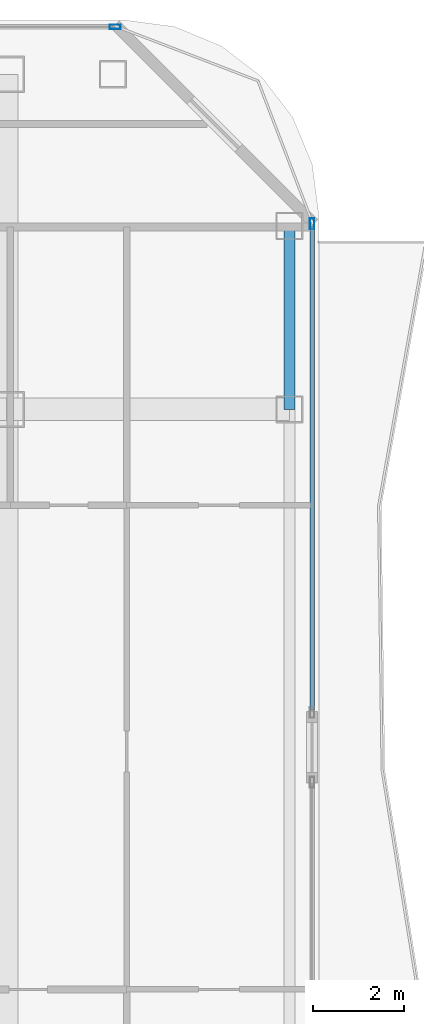
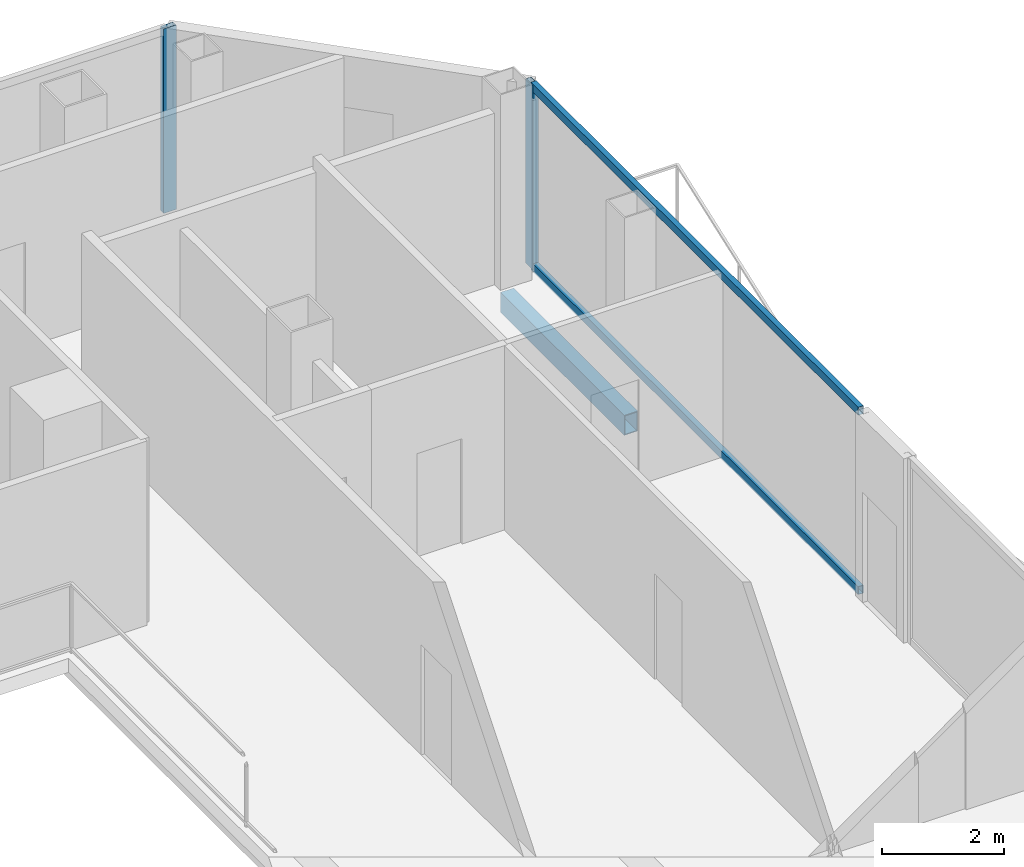
# One storey, part 18 of 26: 4 members, 1 beam, 2 elements without a shape of their own.
"""IFC4 building model written with IfcOpenShell, lengths in metres."""

from ifc_helpers import new_model, si_unit, direction, frame, origin, origin_2d, place, context, subcontext, project, spatial, hollow_rectangle, extrude, material, layer, layer_set, material_profile, profile_set, type_object, element, aggregate, save


model = new_model("IFC4")

# Units and contexts
model_context = context("Model", 3, precision=1e-05, world=origin(), true_north=direction((0.0, 1.0)))
body_context = subcontext(model_context, "Body", "Model", "MODEL_VIEW")
ifc_project = project(units=[si_unit("LENGTHUNIT", "METRE"), si_unit("AREAUNIT", "SQUARE_METRE"), si_unit("VOLUMEUNIT", "CUBIC_METRE"), si_unit("PLANEANGLEUNIT", "RADIAN"), si_unit("MASSUNIT", "GRAM", prefix="KILO")], contexts=[model_context])

# Site, building, storey
site_placement = place(None, origin())
site = spatial("IfcSite", under=ifc_project, at=site_placement, CompositionType="ELEMENT")
building_placement = place(site_placement, origin())
building = spatial("IfcBuilding", under=site, at=building_placement, Name="Khorvyn Point Tower", CompositionType="ELEMENT")
storey_placement = place(building_placement, frame((0.0, 0.0, 219.60009765625)))
storey = spatial("IfcBuildingStorey", under=building, at=storey_placement, Name="L54", CompositionType="ELEMENT", Elevation=219.60009765625)

# Curtain wall, member
ifc_material_1 = material(Name="Anodised aluminium 6063-T6 and laminated Low-E glass", Category="aluminium")
ifc_layer = layer(ifc_material_1, 0.18994140625)
ifc_layer_set = layer_set([ifc_layer], Name="Stick-Built Acoustic Curtain Wall CW-SYS-03")
curtain_wall_type = type_object("IfcCurtainWallType", Name="Stick-Built Acoustic Curtain Wall CW-SYS-03", PredefinedType="NOTDEFINED", material=ifc_layer_set)
curtain_wall_1_placement = place(storey_placement, origin())
curtain_wall_1 = element("IfcCurtainWall", 1, at=curtain_wall_1_placement, inside=storey, type_object=curtain_wall_type, Name="Curtain Wall", PredefinedType="NOTDEFINED")
ifc_material_2 = material(Name="Anodised aluminium 6063-T6", Category="aluminium")
ifc_material_profile_1 = material_profile(ifc_material_2, hollow_rectangle(XDim=0.10009765625, YDim=0.239990234375, WallThickness=0.0048828125, at=origin_2d()))
ifc_profile_set_1 = profile_set([ifc_material_profile_1], Name="Anodised aluminium 6063-T6 ALU-MUL-100x240")
member_type_1 = type_object("IfcMemberType", Name="Anodised Aluminium 6063-T6 Mullion ALU-MUL-100x240", PredefinedType="MULLION", material=ifc_profile_set_1)
member_1_placement = place(storey_placement, frame((21.800048828125, 15.85009765625, 0.0), z_axis=(0.0, 0.0, 1.0), x_axis=(0.0, 1.0, 0.0)))
member_1 = element("IfcMember", 2, at=member_1_placement, type_object=member_type_1, Name="Transom", PredefinedType="MULLION", context=body_context, shape_type="SweptSolid", body=[
    extrude(hollow_rectangle(XDim=0.10009765625, YDim=0.239990234375, WallThickness=0.0048828125, at=origin_2d()), origin(), (0.0, 0.0, 1.0), 3.679931640625),
])
aggregate(curtain_wall_1, [member_1])

# Curtain wall, members
curtain_wall_2_placement = place(storey_placement, origin())
curtain_wall_2 = element("IfcCurtainWall", 3, at=curtain_wall_2_placement, inside=storey, type_object=curtain_wall_type, Name="Curtain Wall", PredefinedType="NOTDEFINED")
member_2_placement = place(storey_placement, frame((26.14990234375, 11.5, 0.0), z_axis=(0.0, 0.0, 1.0), x_axis=(1.0, 0.0, 0.0)))
member_2 = element("IfcMember", 4, at=member_2_placement, type_object=member_type_1, Name="Transom", PredefinedType="MULLION", context=body_context, shape_type="SweptSolid", body=[
    extrude(hollow_rectangle(XDim=0.10009765625, YDim=0.239990234375, WallThickness=0.0048828125, at=origin_2d()), origin(), (0.0, 0.0, 1.0), 3.679931640625),
])
ifc_material_profile_2 = material_profile(ifc_material_2, hollow_rectangle(XDim=0.10009765625, YDim=0.159912109375, WallThickness=0.00439453125, at=origin_2d()))
ifc_profile_set_2 = profile_set([ifc_material_profile_2], Name="Anodised aluminium 6063-T6 ALU-TRN-100x160")
member_type_2 = type_object("IfcMemberType", Name="Anodised Aluminium 6063-T6 Transom ALU-TRN-100x160", PredefinedType="USERDEFINED", material=ifc_profile_set_2)
member_3_placement = place(storey_placement, frame((26.14990234375, 11.449951171875, 0.0498046875), z_axis=(0.0, -1.0, 0.0), x_axis=(1.0, 0.0, 0.0)))
member_3 = element("IfcMember", 5, at=member_3_placement, type_object=member_type_2, Name="Transom", ObjectType="TRANSOM", PredefinedType="USERDEFINED", context=body_context, shape_type="SweptSolid", body=[
    extrude(hollow_rectangle(XDim=0.10009765625, YDim=0.159912109375, WallThickness=0.00439453125, at=origin_2d()), origin(), (0.0, 0.0, 1.0), 10.695068359375),
])
member_4_placement = place(storey_placement, frame((26.14990234375, 11.449951171875, 3.6298828125), z_axis=(0.0, -1.0, 0.0), x_axis=(1.0, 0.0, 0.0)))
member_4 = element("IfcMember", 6, at=member_4_placement, type_object=member_type_2, Name="Transom", ObjectType="TRANSOM", PredefinedType="USERDEFINED", context=body_context, shape_type="SweptSolid", body=[
    extrude(hollow_rectangle(XDim=0.10009765625, YDim=0.159912109375, WallThickness=0.00439453125, at=origin_2d()), origin(), (0.0, 0.0, 1.0), 10.695068359375),
])
aggregate(curtain_wall_2, [member_2, member_3, member_4])

# Beam
ifc_material_3 = material(Name="Steel S355", Category="steel")
ifc_material_profile_3 = material_profile(ifc_material_3, hollow_rectangle(XDim=0.25, YDim=0.39990234375, WallThickness=0.01611328125, at=origin_2d()))
ifc_profile_set_3 = profile_set([ifc_material_profile_3], Name="Steel S355 RHS400x250x16")
beam_type = type_object("IfcBeamType", Name="Steel S355 Spandrel RHS400x250x16", PredefinedType="SPANDREL", material=ifc_profile_set_3)
beam_placement = place(storey_placement, frame((25.64990234375, 7.39990234375, -0.47998046875), z_axis=(0.0, 1.0, 0.0), x_axis=(-1.0, 0.0, 0.0)))
element("IfcBeam", 7, at=beam_placement, inside=storey, type_object=beam_type, Name="Beam", PredefinedType="SPANDREL", context=body_context, shape_type="SweptSolid", body=[
    extrude(hollow_rectangle(XDim=0.25, YDim=0.39990234375, WallThickness=0.01611328125, at=origin_2d()), origin(), (0.0, 0.0, 1.0), 4.050048828125),
])

save(model, "model.ifc")
